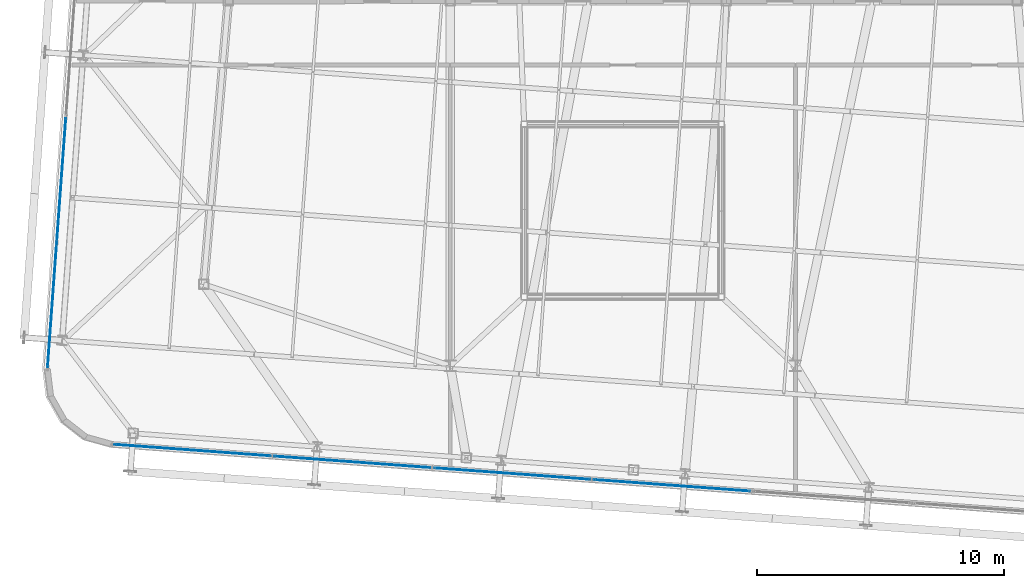
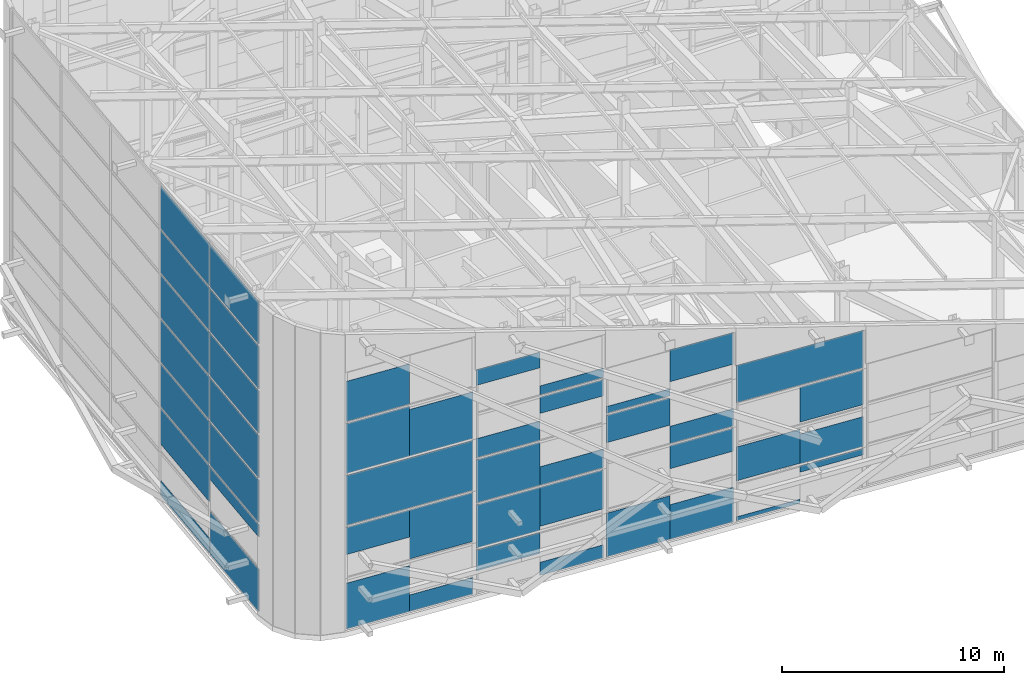
# One storey, part 31 of 56: 45 plates, 25 elements without a shape of their own.
"""IFC4 building model written with IfcOpenShell, lengths in metres."""

from ifc_helpers import new_model, si_unit, direction, frame, origin, origin_2d, place, context, subcontext, project, spatial, rectangle, extrude, source, transform, mapped, material, layer, layer_set, type_object, element, aggregate, save


model = new_model("IFC4")

# Units and contexts
model_context = context("Model", 3, precision=1e-05, world=origin(), true_north=direction((0.0, 1.0)))
body_context = subcontext(model_context, "Body", "Model", "MODEL_VIEW")
ifc_project = project(units=[si_unit("LENGTHUNIT", "METRE"), si_unit("AREAUNIT", "SQUARE_METRE"), si_unit("VOLUMEUNIT", "CUBIC_METRE"), si_unit("PLANEANGLEUNIT", "RADIAN"), si_unit("MASSUNIT", "GRAM", prefix="KILO")], contexts=[model_context])

# Site, building, storey
site_placement = place(None, origin())
site = spatial("IfcSite", under=ifc_project, at=site_placement, CompositionType="ELEMENT")
building_placement = place(site_placement, origin())
building = spatial("IfcBuilding", under=site, at=building_placement, Name="Taldren Reach Tower", CompositionType="ELEMENT")
storey_placement = place(building_placement, frame((0.0, 0.0, 253.050048828125)))
storey = spatial("IfcBuildingStorey", under=building, at=storey_placement, Name="L77", CompositionType="ELEMENT", Elevation=253.050048828125)

# Curtain wall, plate
ifc_material_1 = material(Name="Aluminium and Low-E Glass Unitised System", Category="aluminium")
ifc_layer_1 = layer(ifc_material_1, 0.159912109375)
ifc_layer_set_1 = layer_set([ifc_layer_1], Name="Aluminium and Low-E Glass Unitised System")
curtain_wall_type = type_object("IfcCurtainWallType", Name="CW-SYS-8", PredefinedType="NOTDEFINED", material=ifc_layer_set_1)
curtain_wall_1_placement = place(storey_placement, origin())
curtain_wall_1 = element("IfcCurtainWall", 1, at=curtain_wall_1_placement, inside=storey, type_object=curtain_wall_type, Name="Unitised curtain wall CW8-L77-W", PredefinedType="NOTDEFINED")
ifc_material_2 = material(Name="Acoustic Triple-Laminated IGU", Category="glass")
ifc_layer_2 = layer(ifc_material_2, 0.035888671875)
ifc_layer_set_2 = layer_set([ifc_layer_2], Name="Acoustic Triple-Laminated IGU")
plate_type = type_object("IfcPlateType", Name="CW-PNL-IGU36", PredefinedType="CURTAIN_PANEL", material=ifc_layer_set_2)
shared_shape_1 = source(origin(), body_context, "Body", "SweptSolid", [
    extrude(rectangle(XDim=5.007568359375, YDim=0.035888671875, at=origin_2d()), origin(), (0.0, 0.0, 1.0), 2.326416015625),
])
plate_1_placement = place(storey_placement, frame((11.8515625, 11.643798828125, 0.06005859375), z_axis=(0.0, 0.0, 1.0), x_axis=(-0.073238282558, -0.997314470951, 0.0)))
plate_1 = element("IfcPlate", 2, at=plate_1_placement, type_object=plate_type, Name="CW-8 panel 5.1", PredefinedType="CURTAIN_PANEL", context=body_context, shape_type="MappedRepresentation", body=[
    mapped(shared_shape_1, transform((0.0, 0.0, 0.0), scale=1.0)),
])

curtain_wall_2_placement = place(storey_placement, origin())
curtain_wall_2 = element("IfcCurtainWall", 3, at=curtain_wall_2_placement, inside=storey, type_object=curtain_wall_type, Name="Unitised curtain wall CW8-L77-W-T3", PredefinedType="NOTDEFINED")
plate_2_placement = place(storey_placement, frame((11.8515625, 11.643798828125, 4.95263671875), z_axis=(0.0, 0.0, 1.0), x_axis=(-0.073238282558, -0.997314470951, 0.0)))
plate_2 = element("IfcPlate", 4, at=plate_2_placement, type_object=plate_type, Name="CW-8 panel 5.1", PredefinedType="CURTAIN_PANEL", context=body_context, shape_type="MappedRepresentation", body=[
    mapped(shared_shape_1, transform((0.0, 0.0, 0.0), scale=1.0)),
])

curtain_wall_3_placement = place(storey_placement, origin())
curtain_wall_3 = element("IfcCurtainWall", 5, at=curtain_wall_3_placement, inside=storey, type_object=curtain_wall_type, Name="Unitised curtain wall CW8-L77-W-T4", PredefinedType="NOTDEFINED")
plate_3_placement = place(storey_placement, frame((11.8515625, 11.643798828125, 7.39892578125), z_axis=(0.0, 0.0, 1.0), x_axis=(-0.073238282558, -0.997314470951, 0.0)))
plate_3 = element("IfcPlate", 6, at=plate_3_placement, type_object=plate_type, Name="CW-8 panel 5.1", PredefinedType="CURTAIN_PANEL", context=body_context, shape_type="MappedRepresentation", body=[
    mapped(shared_shape_1, transform((0.0, 0.0, 0.0), scale=1.0)),
])

curtain_wall_4_placement = place(storey_placement, origin())
curtain_wall_4 = element("IfcCurtainWall", 7, at=curtain_wall_4_placement, inside=storey, type_object=curtain_wall_type, Name="Unitised curtain wall CW8-L77-W-T5", PredefinedType="NOTDEFINED")
plate_4_placement = place(storey_placement, frame((11.8515625, 11.643798828125, 9.845703125), z_axis=(0.0, 0.0, 1.0), x_axis=(-0.073238282558, -0.997314470951, 0.0)))
plate_4 = element("IfcPlate", 8, at=plate_4_placement, type_object=plate_type, Name="CW-8 panel 5.1", PredefinedType="CURTAIN_PANEL", context=body_context, shape_type="MappedRepresentation", body=[
    mapped(shared_shape_1, transform((0.0, 0.0, 0.0), scale=1.0)),
])

curtain_wall_5_placement = place(storey_placement, origin())
curtain_wall_5 = element("IfcCurtainWall", 9, at=curtain_wall_5_placement, inside=storey, type_object=curtain_wall_type, Name="Unitised curtain wall CW8-L77-W-T6", PredefinedType="NOTDEFINED")
plate_5_placement = place(storey_placement, frame((11.8515625, 11.643798828125, 12.2919921875), z_axis=(0.0, 0.0, 1.0), x_axis=(-0.073238282558, -0.997314470951, 0.0)))
plate_5 = element("IfcPlate", 10, at=plate_5_placement, type_object=plate_type, Name="CW-8 panel 5.1", PredefinedType="CURTAIN_PANEL", context=body_context, shape_type="MappedRepresentation", body=[
    mapped(shared_shape_1, transform((0.0, 0.0, 0.0), scale=1.0)),
])

curtain_wall_6_placement = place(storey_placement, origin())
curtain_wall_6 = element("IfcCurtainWall", 11, at=curtain_wall_6_placement, inside=storey, type_object=curtain_wall_type, Name="Unitised curtain wall CW8-L77-W-T7", PredefinedType="NOTDEFINED")
plate_6_placement = place(storey_placement, frame((11.8515625, 11.643798828125, 14.73828125), z_axis=(0.0, 0.0, 1.0), x_axis=(-0.073238282558, -0.997314470951, 0.0)))
plate_6 = element("IfcPlate", 12, at=plate_6_placement, type_object=plate_type, Name="CW-8 panel 5.1", PredefinedType="CURTAIN_PANEL", context=body_context, shape_type="MappedRepresentation", body=[
    mapped(shared_shape_1, transform((0.0, 0.0, 0.0), scale=1.0)),
])

# Plate
shared_shape_2 = source(origin(), body_context, "Body", "SweptSolid", [
    extrude(rectangle(XDim=5.044921875, YDim=0.035888671875, at=origin_2d()), origin(), (0.0, 0.0, 1.0), 2.326416015625),
])
plate_7_placement = place(storey_placement, frame((12.22509765625, 16.7314453125, 4.95263671875), z_axis=(0.0, 0.0, 1.0), x_axis=(-0.073238282558, -0.997314470951, 0.0)))
plate_7 = element("IfcPlate", 13, at=plate_7_placement, type_object=plate_type, Name="CW-8 panel 4.1", PredefinedType="CURTAIN_PANEL", context=body_context, shape_type="MappedRepresentation", body=[
    mapped(shared_shape_2, transform((0.0, 0.0, 0.0), scale=1.0)),
])

aggregate(curtain_wall_2, [plate_7, plate_2])

plate_8_placement = place(storey_placement, frame((12.22509765625, 16.7314453125, 7.39892578125), z_axis=(0.0, 0.0, 1.0), x_axis=(-0.073238282558, -0.997314470951, 0.0)))
plate_8 = element("IfcPlate", 14, at=plate_8_placement, type_object=plate_type, Name="CW-8 panel 4.1", PredefinedType="CURTAIN_PANEL", context=body_context, shape_type="MappedRepresentation", body=[
    mapped(shared_shape_2, transform((0.0, 0.0, 0.0), scale=1.0)),
])

aggregate(curtain_wall_3, [plate_8, plate_3])

plate_9_placement = place(storey_placement, frame((12.22509765625, 16.7314453125, 9.845703125), z_axis=(0.0, 0.0, 1.0), x_axis=(-0.073238282558, -0.997314470951, 0.0)))
plate_9 = element("IfcPlate", 15, at=plate_9_placement, type_object=plate_type, Name="CW-8 panel 4.1", PredefinedType="CURTAIN_PANEL", context=body_context, shape_type="MappedRepresentation", body=[
    mapped(shared_shape_2, transform((0.0, 0.0, 0.0), scale=1.0)),
])

aggregate(curtain_wall_4, [plate_9, plate_4])

plate_10_placement = place(storey_placement, frame((12.22509765625, 16.7314453125, 12.2919921875), z_axis=(0.0, 0.0, 1.0), x_axis=(-0.073238282558, -0.997314470951, 0.0)))
plate_10 = element("IfcPlate", 16, at=plate_10_placement, type_object=plate_type, Name="CW-8 panel 4.1", PredefinedType="CURTAIN_PANEL", context=body_context, shape_type="MappedRepresentation", body=[
    mapped(shared_shape_2, transform((0.0, 0.0, 0.0), scale=1.0)),
])

aggregate(curtain_wall_5, [plate_10, plate_5])

plate_11_placement = place(storey_placement, frame((12.22509765625, 16.7314453125, 14.73828125), z_axis=(0.0, 0.0, 1.0), x_axis=(-0.073238282558, -0.997314470951, 0.0)))
plate_11 = element("IfcPlate", 17, at=plate_11_placement, type_object=plate_type, Name="CW-8 panel 4.1", PredefinedType="CURTAIN_PANEL", context=body_context, shape_type="MappedRepresentation", body=[
    mapped(shared_shape_2, transform((0.0, 0.0, 0.0), scale=1.0)),
])

aggregate(curtain_wall_6, [plate_11, plate_6])

# Curtain wall, plate
curtain_wall_7_placement = place(storey_placement, origin())
curtain_wall_7 = element("IfcCurtainWall", 18, at=curtain_wall_7_placement, inside=storey, type_object=curtain_wall_type, Name="Unitised curtain wall CW8-L77-S1-T3", PredefinedType="NOTDEFINED")
shared_shape_3 = source(origin(), body_context, "Body", "SweptSolid", [
    extrude(rectangle(XDim=6.35009765625, YDim=0.035888671875, at=origin_2d()), origin(), (0.0, 0.0, 1.0), 2.728271484375),
])
plate_12_placement = place(storey_placement, frame((17.546630859375, 5.772216796875, 5.7568359375), z_axis=(0.0, 0.0, 1.0), x_axis=(0.997314454527, -0.073238506213, 0.0)))
plate_12 = element("IfcPlate", 19, at=plate_12_placement, type_object=plate_type, Name="CW-8 panel 1.1", PredefinedType="CURTAIN_PANEL", context=body_context, shape_type="MappedRepresentation", body=[
    mapped(shared_shape_3, transform((0.0, 0.0, 0.0), scale=1.0)),
])
aggregate(curtain_wall_7, [plate_12])

curtain_wall_8_placement = place(storey_placement, origin())
curtain_wall_8 = element("IfcCurtainWall", 20, at=curtain_wall_8_placement, inside=storey, type_object=curtain_wall_type, Name="Unitised curtain wall CW8-L77-S4-T4", PredefinedType="NOTDEFINED")
shared_shape_4 = source(origin(), body_context, "Body", "SweptSolid", [
    extrude(rectangle(XDim=6.35009765625, YDim=0.035888671875, at=origin_2d()), origin(), (0.0, 0.0, 1.0), 2.04296875),
])
plate_13_placement = place(storey_placement, frame((36.994384765625, 4.343994140625, 6.548583984375), z_axis=(0.0, 0.0, 1.0), x_axis=(0.997314454527, -0.073238506213, 0.0)))
plate_13 = element("IfcPlate", 21, at=plate_13_placement, type_object=plate_type, Name="CW-8 panel 1.1", PredefinedType="CURTAIN_PANEL", context=body_context, shape_type="MappedRepresentation", body=[
    mapped(shared_shape_4, transform((0.0, 0.0, 0.0), scale=1.0)),
])
aggregate(curtain_wall_8, [plate_13])

# Plate
shared_shape_5 = source(origin(), body_context, "Body", "SweptSolid", [
    extrude(rectangle(XDim=5.044921875, YDim=0.035888671875, at=origin_2d()), origin(), (0.0, 0.0, 1.0), 0.83056640625),
])
plate_14_placement = place(storey_placement, frame((12.22509765625, 16.7314453125, 0.059814453125), z_axis=(0.0, 0.0, 1.0), x_axis=(-0.073238282558, -0.997314470951, 0.0)))
plate_14 = element("IfcPlate", 22, at=plate_14_placement, type_object=plate_type, Name="CW-8 panel 4.1 part 1", PredefinedType="CURTAIN_PANEL", context=body_context, shape_type="MappedRepresentation", body=[
    mapped(shared_shape_5, transform((0.0, 0.0, 0.0), scale=1.0)),
])

aggregate(curtain_wall_1, [plate_1, plate_14])

# Curtain wall, plates
curtain_wall_9_placement = place(storey_placement, origin())
curtain_wall_9 = element("IfcCurtainWall", 23, at=curtain_wall_9_placement, inside=storey, type_object=curtain_wall_type, Name="Unitised curtain wall CW8-L77-W-T2", PredefinedType="NOTDEFINED")
shared_shape_6 = source(origin(), body_context, "Body", "SweptSolid", [
    extrude(rectangle(XDim=5.007568359375, YDim=0.035888671875, at=origin_2d()), origin(), (0.0, 0.0, 1.0), 0.67333984375),
])
plate_15_placement = place(storey_placement, frame((11.8515625, 11.643798828125, 4.159423828125), z_axis=(0.0, 0.0, 1.0), x_axis=(-0.073238282558, -0.997314470951, 0.0)))
plate_15 = element("IfcPlate", 24, at=plate_15_placement, type_object=plate_type, Name="CW-8 panel 5.1 part 1", PredefinedType="CURTAIN_PANEL", context=body_context, shape_type="MappedRepresentation", body=[
    mapped(shared_shape_6, transform((0.0, 0.0, 0.0), scale=1.0)),
])
shared_shape_7 = source(origin(), body_context, "Body", "SweptSolid", [
    extrude(rectangle(XDim=5.044921875, YDim=0.035888671875, at=origin_2d()), origin(), (0.0, 0.0, 1.0), 1.946533203125),
])
plate_16_placement = place(storey_placement, frame((12.22509765625, 16.7314453125, 2.88623046875), z_axis=(0.0, 0.0, 1.0), x_axis=(-0.073238282558, -0.997314470951, 0.0)))
plate_16 = element("IfcPlate", 25, at=plate_16_placement, type_object=plate_type, Name="CW-8 panel 4.1 part 1", PredefinedType="CURTAIN_PANEL", context=body_context, shape_type="MappedRepresentation", body=[
    mapped(shared_shape_7, transform((0.0, 0.0, 0.0), scale=1.0)),
])
aggregate(curtain_wall_9, [plate_16, plate_15])

curtain_wall_10_placement = place(storey_placement, origin())
curtain_wall_10 = element("IfcCurtainWall", 26, at=curtain_wall_10_placement, inside=storey, type_object=curtain_wall_type, Name="Unitised curtain wall CW8-L77-S1", PredefinedType="NOTDEFINED")
shared_shape_8 = source(origin(), body_context, "Body", "SweptSolid", [
    extrude(rectangle(XDim=3.175048828125, YDim=0.035888671875, at=origin_2d()), origin(), (0.0, 0.0, 1.0), 2.514892578125),
])
plate_17_placement = place(storey_placement, frame((15.96337890625, 5.888427734375, 0.06005859375), z_axis=(0.0, 0.0, 1.0), x_axis=(0.997314454527, -0.073238506213, 0.0)))
plate_17 = element("IfcPlate", 27, at=plate_17_placement, type_object=plate_type, Name="CW-8 panel 1.1 part 1", PredefinedType="CURTAIN_PANEL", context=body_context, shape_type="MappedRepresentation", body=[
    mapped(shared_shape_8, transform((0.0, 0.0, 0.0), scale=1.0)),
])
shared_shape_9 = source(origin(), body_context, "Body", "SweptSolid", [
    extrude(rectangle(XDim=3.175048828125, YDim=0.035888671875, at=origin_2d()), origin(), (0.0, 0.0, 1.0), 0.910400390625),
])
plate_18_placement = place(storey_placement, frame((19.1298828125, 5.656005859375, 0.06005859375), z_axis=(0.0, 0.0, 1.0), x_axis=(0.997314454527, -0.073238506213, 0.0)))
plate_18 = element("IfcPlate", 28, at=plate_18_placement, type_object=plate_type, Name="CW-8 panel 1.1 part 2", PredefinedType="CURTAIN_PANEL", context=body_context, shape_type="MappedRepresentation", body=[
    mapped(shared_shape_9, transform((0.0, 0.0, 0.0), scale=1.0)),
])
aggregate(curtain_wall_10, [plate_17, plate_18])

curtain_wall_11_placement = place(storey_placement, origin())
curtain_wall_11 = element("IfcCurtainWall", 29, at=curtain_wall_11_placement, inside=storey, type_object=curtain_wall_type, Name="Unitised curtain wall CW8-L77-S1-T2", PredefinedType="NOTDEFINED")
shared_shape_10 = source(origin(), body_context, "Body", "SweptSolid", [
    extrude(rectangle(XDim=3.175048828125, YDim=0.035888671875, at=origin_2d()), origin(), (0.0, 0.0, 1.0), 1.486572265625),
])
plate_19_placement = place(storey_placement, frame((15.96337890625, 5.888427734375, 4.14990234375), z_axis=(0.0, 0.0, 1.0), x_axis=(0.997314454527, -0.073238506213, 0.0)))
plate_19 = element("IfcPlate", 30, at=plate_19_placement, type_object=plate_type, Name="CW-8 panel 1.1 part 1", PredefinedType="CURTAIN_PANEL", context=body_context, shape_type="MappedRepresentation", body=[
    mapped(shared_shape_10, transform((0.0, 0.0, 0.0), scale=1.0)),
])
shared_shape_11 = source(origin(), body_context, "Body", "SweptSolid", [
    extrude(rectangle(XDim=3.175048828125, YDim=0.035888671875, at=origin_2d()), origin(), (0.0, 0.0, 1.0), 2.687744140625),
])
plate_20_placement = place(storey_placement, frame((19.1298828125, 5.656005859375, 2.94873046875), z_axis=(0.0, 0.0, 1.0), x_axis=(0.997314454527, -0.073238506213, 0.0)))
plate_20 = element("IfcPlate", 31, at=plate_20_placement, type_object=plate_type, Name="CW-8 panel 1.1 part 2", PredefinedType="CURTAIN_PANEL", context=body_context, shape_type="MappedRepresentation", body=[
    mapped(shared_shape_11, transform((0.0, 0.0, 0.0), scale=1.0)),
])
aggregate(curtain_wall_11, [plate_19, plate_20])

curtain_wall_12_placement = place(storey_placement, origin())
curtain_wall_12 = element("IfcCurtainWall", 32, at=curtain_wall_12_placement, inside=storey, type_object=curtain_wall_type, Name="Unitised curtain wall CW8-L77-S1-T4", PredefinedType="NOTDEFINED")
shared_shape_12 = source(origin(), body_context, "Body", "SweptSolid", [
    extrude(rectangle(XDim=3.175048828125, YDim=0.035888671875, at=origin_2d()), origin(), (0.0, 0.0, 1.0), 2.728271484375),
])
plate_21_placement = place(storey_placement, frame((15.96337890625, 5.888427734375, 8.60498046875), z_axis=(0.0, 0.0, 1.0), x_axis=(0.997314454527, -0.073238506213, 0.0)))
plate_21 = element("IfcPlate", 33, at=plate_21_placement, type_object=plate_type, Name="CW-8 panel 1.1 part 1", PredefinedType="CURTAIN_PANEL", context=body_context, shape_type="MappedRepresentation", body=[
    mapped(shared_shape_12, transform((0.0, 0.0, 0.0), scale=1.0)),
])
shared_shape_13 = source(origin(), body_context, "Body", "SweptSolid", [
    extrude(rectangle(XDim=3.175048828125, YDim=0.035888671875, at=origin_2d()), origin(), (0.0, 0.0, 1.0), 2.552734375),
])
plate_22_placement = place(storey_placement, frame((19.1298828125, 5.656005859375, 8.60498046875), z_axis=(0.0, 0.0, 1.0), x_axis=(0.997314454527, -0.073238506213, 0.0)))
plate_22 = element("IfcPlate", 34, at=plate_22_placement, type_object=plate_type, Name="CW-8 panel 1.1 part 2", PredefinedType="CURTAIN_PANEL", context=body_context, shape_type="MappedRepresentation", body=[
    mapped(shared_shape_13, transform((0.0, 0.0, 0.0), scale=1.0)),
])
aggregate(curtain_wall_12, [plate_21, plate_22])

# Curtain wall, plate
curtain_wall_13_placement = place(storey_placement, origin())
curtain_wall_13 = element("IfcCurtainWall", 35, at=curtain_wall_13_placement, inside=storey, type_object=curtain_wall_type, Name="Unitised curtain wall CW8-L77-S1-T5", PredefinedType="NOTDEFINED")
shared_shape_14 = source(origin(), body_context, "Body", "SweptSolid", [
    extrude(rectangle(XDim=3.175048828125, YDim=0.035888671875, at=origin_2d()), origin(), (0.0, 0.0, 1.0), 2.211181640625),
])
plate_23_placement = place(storey_placement, frame((15.96337890625, 5.888427734375, 11.453125), z_axis=(0.0, 0.0, 1.0), x_axis=(0.997314454527, -0.073238506213, 0.0)))
plate_23 = element("IfcPlate", 36, at=plate_23_placement, type_object=plate_type, Name="CW-8 panel 1.1 part 1", PredefinedType="CURTAIN_PANEL", context=body_context, shape_type="MappedRepresentation", body=[
    mapped(shared_shape_14, transform((0.0, 0.0, 0.0), scale=1.0)),
])
aggregate(curtain_wall_13, [plate_23])

# Curtain wall, plates
curtain_wall_14_placement = place(storey_placement, origin())
curtain_wall_14 = element("IfcCurtainWall", 37, at=curtain_wall_14_placement, inside=storey, type_object=curtain_wall_type, Name="Unitised curtain wall CW8-L77-S2", PredefinedType="NOTDEFINED")
shared_shape_15 = source(origin(), body_context, "Body", "SweptSolid", [
    extrude(rectangle(XDim=3.175048828125, YDim=0.035888671875, at=origin_2d()), origin(), (0.0, 0.0, 1.0), 1.14697265625),
])
plate_24_placement = place(storey_placement, frame((22.446044921875, 5.412353515625, 1.2685546875), z_axis=(0.0, 0.0, 1.0), x_axis=(0.997314462779, -0.073238393838, 0.0)))
plate_24 = element("IfcPlate", 38, at=plate_24_placement, type_object=plate_type, Name="CW-8 panel 1.1 part 1", PredefinedType="CURTAIN_PANEL", context=body_context, shape_type="MappedRepresentation", body=[
    mapped(shared_shape_15, transform((0.0, 0.0, 0.0), scale=1.0)),
])
shared_shape_16 = source(origin(), body_context, "Body", "SweptSolid", [
    extrude(rectangle(XDim=3.175048828125, YDim=0.035888671875, at=origin_2d()), origin(), (0.0, 0.0, 1.0), 0.7158203125),
])
plate_25_placement = place(storey_placement, frame((25.612548828125, 5.179931640625, 0.059814453125), z_axis=(0.0, 0.0, 1.0), x_axis=(0.997314462779, -0.073238393838, 0.0)))
plate_25 = element("IfcPlate", 39, at=plate_25_placement, type_object=plate_type, Name="CW-8 panel 1.1 part 2", PredefinedType="CURTAIN_PANEL", context=body_context, shape_type="MappedRepresentation", body=[
    mapped(shared_shape_16, transform((0.0, 0.0, 0.0), scale=1.0)),
])
aggregate(curtain_wall_14, [plate_24, plate_25])

# Curtain wall, plate
curtain_wall_15_placement = place(storey_placement, origin())
curtain_wall_15 = element("IfcCurtainWall", 40, at=curtain_wall_15_placement, inside=storey, type_object=curtain_wall_type, Name="Unitised curtain wall CW8-L77-S2-T2", PredefinedType="NOTDEFINED")
shared_shape_17 = source(origin(), body_context, "Body", "SweptSolid", [
    extrude(rectangle(XDim=3.175048828125, YDim=0.035888671875, at=origin_2d()), origin(), (0.0, 0.0, 1.0), 2.355712890625),
])
plate_26_placement = place(storey_placement, frame((22.446044921875, 5.412353515625, 2.53564453125), z_axis=(0.0, 0.0, 1.0), x_axis=(0.997314462779, -0.073238393838, 0.0)))
plate_26 = element("IfcPlate", 41, at=plate_26_placement, type_object=plate_type, Name="CW-8 panel 1.1 part 1", PredefinedType="CURTAIN_PANEL", context=body_context, shape_type="MappedRepresentation", body=[
    mapped(shared_shape_17, transform((0.0, 0.0, 0.0), scale=1.0)),
])

curtain_wall_16_placement = place(storey_placement, origin())
curtain_wall_16 = element("IfcCurtainWall", 42, at=curtain_wall_16_placement, inside=storey, type_object=curtain_wall_type, Name="Unitised curtain wall CW8-L77-S2-T3", PredefinedType="NOTDEFINED")
plate_27_placement = place(storey_placement, frame((22.446044921875, 5.412353515625, 5.01123046875), z_axis=(0.0, 0.0, 1.0), x_axis=(0.997314462779, -0.073238393838, 0.0)))
plate_27 = element("IfcPlate", 43, at=plate_27_placement, type_object=plate_type, Name="CW-8 panel 1.1 part 1", PredefinedType="CURTAIN_PANEL", context=body_context, shape_type="MappedRepresentation", body=[
    mapped(shared_shape_17, transform((0.0, 0.0, 0.0), scale=1.0)),
])

# Plate
shared_shape_18 = source(origin(), body_context, "Body", "SweptSolid", [
    extrude(rectangle(XDim=3.175048828125, YDim=0.035888671875, at=origin_2d()), origin(), (0.0, 0.0, 1.0), 2.136962890625),
])
plate_28_placement = place(storey_placement, frame((25.612548828125, 5.179931640625, 2.75439453125), z_axis=(0.0, 0.0, 1.0), x_axis=(0.997314462779, -0.073238393838, 0.0)))
plate_28 = element("IfcPlate", 44, at=plate_28_placement, type_object=plate_type, Name="CW-8 panel 1.1 part 2", PredefinedType="CURTAIN_PANEL", context=body_context, shape_type="MappedRepresentation", body=[
    mapped(shared_shape_18, transform((0.0, 0.0, 0.0), scale=1.0)),
])

aggregate(curtain_wall_15, [plate_26, plate_28])

shared_shape_19 = source(origin(), body_context, "Body", "SweptSolid", [
    extrude(rectangle(XDim=3.175048828125, YDim=0.035888671875, at=origin_2d()), origin(), (0.0, 0.0, 1.0), 1.014892578125),
])
plate_29_placement = place(storey_placement, frame((25.612548828125, 5.179931640625, 5.01123046875), z_axis=(0.0, 0.0, 1.0), x_axis=(0.997314462779, -0.073238393838, 0.0)))
plate_29 = element("IfcPlate", 45, at=plate_29_placement, type_object=plate_type, Name="CW-8 panel 1.1 part 2", PredefinedType="CURTAIN_PANEL", context=body_context, shape_type="MappedRepresentation", body=[
    mapped(shared_shape_19, transform((0.0, 0.0, 0.0), scale=1.0)),
])

aggregate(curtain_wall_16, [plate_27, plate_29])

# Curtain wall, plates
curtain_wall_17_placement = place(storey_placement, origin())
curtain_wall_17 = element("IfcCurtainWall", 46, at=curtain_wall_17_placement, inside=storey, type_object=curtain_wall_type, Name="Unitised curtain wall CW8-L77-S2-T4", PredefinedType="NOTDEFINED")
shared_shape_20 = source(origin(), body_context, "Body", "SweptSolid", [
    extrude(rectangle(XDim=3.175048828125, YDim=0.035888671875, at=origin_2d()), origin(), (0.0, 0.0, 1.0), 1.045654296875),
])
plate_30_placement = place(storey_placement, frame((22.446044921875, 5.412353515625, 7.48681640625), z_axis=(0.0, 0.0, 1.0), x_axis=(0.997314462779, -0.073238393838, 0.0)))
plate_30 = element("IfcPlate", 47, at=plate_30_placement, type_object=plate_type, Name="CW-8 panel 1.1 part 1", PredefinedType="CURTAIN_PANEL", context=body_context, shape_type="MappedRepresentation", body=[
    mapped(shared_shape_20, transform((0.0, 0.0, 0.0), scale=1.0)),
])
shared_shape_21 = source(origin(), body_context, "Body", "SweptSolid", [
    extrude(rectangle(XDim=3.175048828125, YDim=0.035888671875, at=origin_2d()), origin(), (0.0, 0.0, 1.0), 0.8857421875),
])
plate_31_placement = place(storey_placement, frame((25.612548828125, 5.179931640625, 8.956787109375), z_axis=(0.0, 0.0, 1.0), x_axis=(0.997314462779, -0.073238393838, 0.0)))
plate_31 = element("IfcPlate", 48, at=plate_31_placement, type_object=plate_type, Name="CW-8 panel 1.1 part 2", PredefinedType="CURTAIN_PANEL", context=body_context, shape_type="MappedRepresentation", body=[
    mapped(shared_shape_21, transform((0.0, 0.0, 0.0), scale=1.0)),
])
aggregate(curtain_wall_17, [plate_30, plate_31])

curtain_wall_18_placement = place(storey_placement, origin())
curtain_wall_18 = element("IfcCurtainWall", 49, at=curtain_wall_18_placement, inside=storey, type_object=curtain_wall_type, Name="Unitised curtain wall CW8-L77-S2-T5", PredefinedType="NOTDEFINED")
shared_shape_22 = source(origin(), body_context, "Body", "SweptSolid", [
    extrude(rectangle(XDim=3.175048828125, YDim=0.035888671875, at=origin_2d()), origin(), (0.0, 0.0, 1.0), 0.854736328125),
])
plate_32_placement = place(storey_placement, frame((22.446044921875, 5.412353515625, 11.46337890625), z_axis=(0.0, 0.0, 1.0), x_axis=(0.997314462779, -0.073238393838, 0.0)))
plate_32 = element("IfcPlate", 50, at=plate_32_placement, type_object=plate_type, Name="CW-8 panel 1.1 part 1", PredefinedType="CURTAIN_PANEL", context=body_context, shape_type="MappedRepresentation", body=[
    mapped(shared_shape_22, transform((0.0, 0.0, 0.0), scale=1.0)),
])
shared_shape_23 = source(origin(), body_context, "Body", "SweptSolid", [
    extrude(rectangle(XDim=3.175048828125, YDim=0.035888671875, at=origin_2d()), origin(), (0.0, 0.0, 1.0), 0.50390625),
])
plate_33_placement = place(storey_placement, frame((25.612548828125, 5.179931640625, 9.962646484375), z_axis=(0.0, 0.0, 1.0), x_axis=(0.997314462779, -0.073238393838, 0.0)))
plate_33 = element("IfcPlate", 51, at=plate_33_placement, type_object=plate_type, Name="CW-8 panel 1.1 part 2", PredefinedType="CURTAIN_PANEL", context=body_context, shape_type="MappedRepresentation", body=[
    mapped(shared_shape_23, transform((0.0, 0.0, 0.0), scale=1.0)),
])
aggregate(curtain_wall_18, [plate_32, plate_33])

curtain_wall_19_placement = place(storey_placement, origin())
curtain_wall_19 = element("IfcCurtainWall", 52, at=curtain_wall_19_placement, inside=storey, type_object=curtain_wall_type, Name="Unitised curtain wall CW8-L77-S3", PredefinedType="NOTDEFINED")
shared_shape_24 = source(origin(), body_context, "Body", "SweptSolid", [
    extrude(rectangle(XDim=3.175048828125, YDim=0.035888671875, at=origin_2d()), origin(), (0.0, 0.0, 1.0), 2.39599609375),
])
plate_34_placement = place(storey_placement, frame((28.928466796875, 4.936279296875, 0.06005859375), z_axis=(0.0, 0.0, 1.0), x_axis=(0.997314566898, -0.073236975997, 0.0)))
plate_34 = element("IfcPlate", 53, at=plate_34_placement, type_object=plate_type, Name="CW-8 panel 1.1 part 1", PredefinedType="CURTAIN_PANEL", context=body_context, shape_type="MappedRepresentation", body=[
    mapped(shared_shape_24, transform((0.0, 0.0, 0.0), scale=1.0)),
])
shared_shape_25 = source(origin(), body_context, "Body", "SweptSolid", [
    extrude(rectangle(XDim=3.175048828125, YDim=0.035888671875, at=origin_2d()), origin(), (0.0, 0.0, 1.0), 1.90087890625),
])
plate_35_placement = place(storey_placement, frame((32.094970703125, 4.703857421875, 0.059814453125), z_axis=(0.0, 0.0, 1.0), x_axis=(0.997314566898, -0.073236975997, 0.0)))
plate_35 = element("IfcPlate", 54, at=plate_35_placement, type_object=plate_type, Name="CW-8 panel 1.1 part 2", PredefinedType="CURTAIN_PANEL", context=body_context, shape_type="MappedRepresentation", body=[
    mapped(shared_shape_25, transform((0.0, 0.0, 0.0), scale=1.0)),
])
aggregate(curtain_wall_19, [plate_34, plate_35])

# Curtain wall, plate
curtain_wall_20_placement = place(storey_placement, origin())
curtain_wall_20 = element("IfcCurtainWall", 55, at=curtain_wall_20_placement, inside=storey, type_object=curtain_wall_type, Name="Unitised curtain wall CW8-L77-S3-T2", PredefinedType="NOTDEFINED")
shared_shape_26 = source(origin(), body_context, "Body", "SweptSolid", [
    extrude(rectangle(XDim=3.175048828125, YDim=0.035888671875, at=origin_2d()), origin(), (0.0, 0.0, 1.0), 1.258056640625),
])
plate_36_placement = place(storey_placement, frame((32.094970703125, 4.703857421875, 3.939453125), z_axis=(0.0, 0.0, 1.0), x_axis=(0.997314566898, -0.073236975997, 0.0)))
plate_36 = element("IfcPlate", 56, at=plate_36_placement, type_object=plate_type, Name="CW-8 panel 1.1 part 1", PredefinedType="CURTAIN_PANEL", context=body_context, shape_type="MappedRepresentation", body=[
    mapped(shared_shape_26, transform((0.0, 0.0, 0.0), scale=1.0)),
])
aggregate(curtain_wall_20, [plate_36])

# Curtain wall, plates
curtain_wall_21_placement = place(storey_placement, origin())
curtain_wall_21 = element("IfcCurtainWall", 57, at=curtain_wall_21_placement, inside=storey, type_object=curtain_wall_type, Name="Unitised curtain wall CW8-L77-S3-T3", PredefinedType="NOTDEFINED")
shared_shape_27 = source(origin(), body_context, "Body", "SweptSolid", [
    extrude(rectangle(XDim=3.175048828125, YDim=0.035888671875, at=origin_2d()), origin(), (0.0, 0.0, 1.0), 1.494384765625),
])
plate_37_placement = place(storey_placement, frame((28.928466796875, 4.936279296875, 6.33154296875), z_axis=(0.0, 0.0, 1.0), x_axis=(0.997314566898, -0.073236975997, 0.0)))
plate_37 = element("IfcPlate", 58, at=plate_37_placement, type_object=plate_type, Name="CW-8 panel 1.1 part 1", PredefinedType="CURTAIN_PANEL", context=body_context, shape_type="MappedRepresentation", body=[
    mapped(shared_shape_27, transform((0.0, 0.0, 0.0), scale=1.0)),
])
shared_shape_28 = source(origin(), body_context, "Body", "SweptSolid", [
    extrude(rectangle(XDim=3.175048828125, YDim=0.035888671875, at=origin_2d()), origin(), (0.0, 0.0, 1.0), 0.94921875),
])
plate_38_placement = place(storey_placement, frame((32.094970703125, 4.703857421875, 5.3173828125), z_axis=(0.0, 0.0, 1.0), x_axis=(0.997314566898, -0.073236975997, 0.0)))
plate_38 = element("IfcPlate", 59, at=plate_38_placement, type_object=plate_type, Name="CW-8 panel 1.1 part 2", PredefinedType="CURTAIN_PANEL", context=body_context, shape_type="MappedRepresentation", body=[
    mapped(shared_shape_28, transform((0.0, 0.0, 0.0), scale=1.0)),
])
aggregate(curtain_wall_21, [plate_37, plate_38])

curtain_wall_22_placement = place(storey_placement, origin())
curtain_wall_22 = element("IfcCurtainWall", 60, at=curtain_wall_22_placement, inside=storey, type_object=curtain_wall_type, Name="Unitised curtain wall CW8-L77-S3-T4", PredefinedType="NOTDEFINED")
shared_shape_29 = source(origin(), body_context, "Body", "SweptSolid", [
    extrude(rectangle(XDim=3.175048828125, YDim=0.035888671875, at=origin_2d()), origin(), (0.0, 0.0, 1.0), 0.371826171875),
])
plate_39_placement = place(storey_placement, frame((28.928466796875, 4.936279296875, 7.9462890625), z_axis=(0.0, 0.0, 1.0), x_axis=(0.997314566898, -0.073236975997, 0.0)))
plate_39 = element("IfcPlate", 61, at=plate_39_placement, type_object=plate_type, Name="CW-8 panel 1.1 part 1", PredefinedType="CURTAIN_PANEL", context=body_context, shape_type="MappedRepresentation", body=[
    mapped(shared_shape_29, transform((0.0, 0.0, 0.0), scale=1.0)),
])
shared_shape_30 = source(origin(), body_context, "Body", "SweptSolid", [
    extrude(rectangle(XDim=3.175048828125, YDim=0.035888671875, at=origin_2d()), origin(), (0.0, 0.0, 1.0), 1.73974609375),
])
plate_40_placement = place(storey_placement, frame((32.094970703125, 4.703857421875, 8.715087890625), z_axis=(0.0, 0.0, 1.0), x_axis=(0.997314566898, -0.073236975997, 0.0)))
plate_40 = element("IfcPlate", 62, at=plate_40_placement, type_object=plate_type, Name="CW-8 panel 1.1 part 2", PredefinedType="CURTAIN_PANEL", context=body_context, shape_type="MappedRepresentation", body=[
    mapped(shared_shape_30, transform((0.0, 0.0, 0.0), scale=1.0)),
])
aggregate(curtain_wall_22, [plate_39, plate_40])

curtain_wall_23_placement = place(storey_placement, origin())
curtain_wall_23 = element("IfcCurtainWall", 63, at=curtain_wall_23_placement, inside=storey, type_object=curtain_wall_type, Name="Unitised curtain wall CW8-L77-S4", PredefinedType="NOTDEFINED")
shared_shape_31 = source(origin(), body_context, "Body", "SweptSolid", [
    extrude(rectangle(XDim=3.175048828125, YDim=0.035888671875, at=origin_2d()), origin(), (0.0, 0.0, 1.0), 0.220458984375),
])
plate_41_placement = place(storey_placement, frame((35.4111328125, 4.460205078125, 0.06005859375), z_axis=(0.0, 0.0, 1.0), x_axis=(0.997314454527, -0.073238506213, 0.0)))
plate_41 = element("IfcPlate", 64, at=plate_41_placement, type_object=plate_type, Name="CW-8 panel 1.1 part 1", PredefinedType="CURTAIN_PANEL", context=body_context, shape_type="MappedRepresentation", body=[
    mapped(shared_shape_31, transform((0.0, 0.0, 0.0), scale=1.0)),
])
shared_shape_32 = source(origin(), body_context, "Body", "SweptSolid", [
    extrude(rectangle(XDim=3.175048828125, YDim=0.035888671875, at=origin_2d()), origin(), (0.0, 0.0, 1.0), 0.3388671875),
])
plate_42_placement = place(storey_placement, frame((38.57763671875, 4.227783203125, 1.763916015625), z_axis=(0.0, 0.0, 1.0), x_axis=(0.997314454527, -0.073238506213, 0.0)))
plate_42 = element("IfcPlate", 65, at=plate_42_placement, type_object=plate_type, Name="CW-8 panel 1.1 part 2", PredefinedType="CURTAIN_PANEL", context=body_context, shape_type="MappedRepresentation", body=[
    mapped(shared_shape_32, transform((0.0, 0.0, 0.0), scale=1.0)),
])
aggregate(curtain_wall_23, [plate_41, plate_42])

curtain_wall_24_placement = place(storey_placement, origin())
curtain_wall_24 = element("IfcCurtainWall", 66, at=curtain_wall_24_placement, inside=storey, type_object=curtain_wall_type, Name="Unitised curtain wall CW8-L77-S4-T2", PredefinedType="NOTDEFINED")
shared_shape_33 = source(origin(), body_context, "Body", "SweptSolid", [
    extrude(rectangle(XDim=3.175048828125, YDim=0.035888671875, at=origin_2d()), origin(), (0.0, 0.0, 1.0), 1.85888671875),
])
plate_43_placement = place(storey_placement, frame((35.4111328125, 4.460205078125, 2.25927734375), z_axis=(0.0, 0.0, 1.0), x_axis=(0.997314454527, -0.073238506213, 0.0)))
plate_43 = element("IfcPlate", 67, at=plate_43_placement, type_object=plate_type, Name="CW-8 panel 1.1 part 1", PredefinedType="CURTAIN_PANEL", context=body_context, shape_type="MappedRepresentation", body=[
    mapped(shared_shape_33, transform((0.0, 0.0, 0.0), scale=1.0)),
])
shared_shape_34 = source(origin(), body_context, "Body", "SweptSolid", [
    extrude(rectangle(XDim=3.175048828125, YDim=0.035888671875, at=origin_2d()), origin(), (0.0, 0.0, 1.0), 1.635498046875),
])
plate_44_placement = place(storey_placement, frame((38.57763671875, 4.227783203125, 2.22314453125), z_axis=(0.0, 0.0, 1.0), x_axis=(0.997314454527, -0.073238506213, 0.0)))
plate_44 = element("IfcPlate", 68, at=plate_44_placement, type_object=plate_type, Name="CW-8 panel 1.1 part 2", PredefinedType="CURTAIN_PANEL", context=body_context, shape_type="MappedRepresentation", body=[
    mapped(shared_shape_34, transform((0.0, 0.0, 0.0), scale=1.0)),
])
aggregate(curtain_wall_24, [plate_43, plate_44])

# Curtain wall, plate
curtain_wall_25_placement = place(storey_placement, origin())
curtain_wall_25 = element("IfcCurtainWall", 69, at=curtain_wall_25_placement, inside=storey, type_object=curtain_wall_type, Name="Unitised curtain wall CW8-L77-S4-T3", PredefinedType="NOTDEFINED")
shared_shape_35 = source(origin(), body_context, "Body", "SweptSolid", [
    extrude(rectangle(XDim=3.175048828125, YDim=0.035888671875, at=origin_2d()), origin(), (0.0, 0.0, 1.0), 1.91357421875),
])
plate_45_placement = place(storey_placement, frame((38.57763671875, 4.227783203125, 4.51513671875), z_axis=(0.0, 0.0, 1.0), x_axis=(0.997314454527, -0.073238506213, 0.0)))
plate_45 = element("IfcPlate", 70, at=plate_45_placement, type_object=plate_type, Name="CW-8 panel 1.1 part 1", PredefinedType="CURTAIN_PANEL", context=body_context, shape_type="MappedRepresentation", body=[
    mapped(shared_shape_35, transform((0.0, 0.0, 0.0), scale=1.0)),
])
aggregate(curtain_wall_25, [plate_45])

save(model, "model.ifc")
